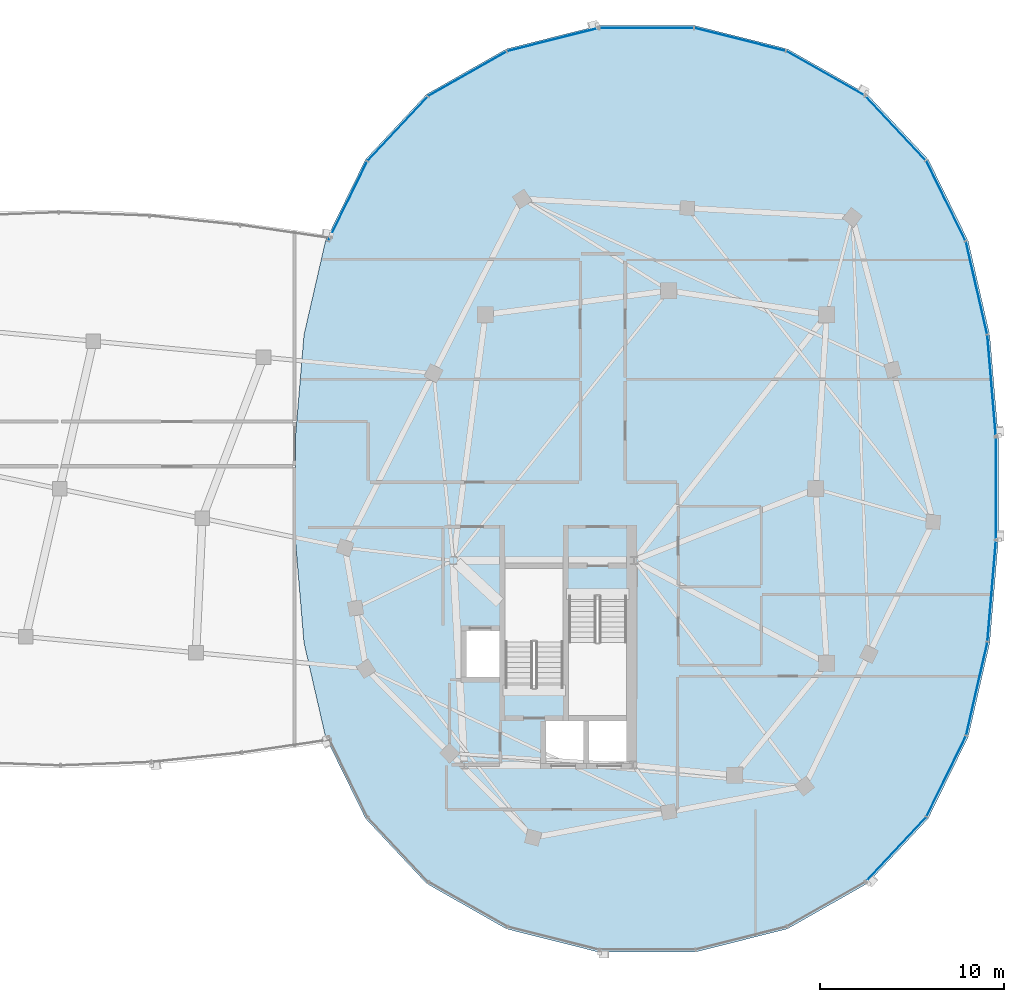
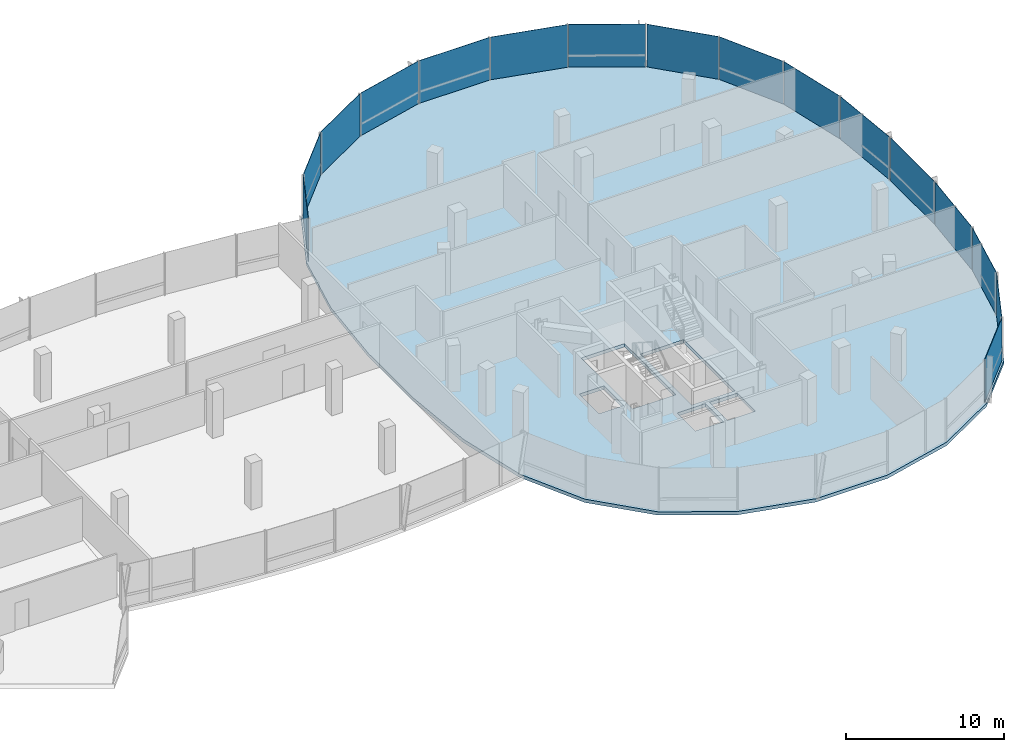
# One storey, part 13 of 25: 16 plates, 1 slab, 3 elements without a shape of their own.
"""IFC4 building model written with IfcOpenShell, lengths in metres."""

from ifc_helpers import new_model, si_unit, direction, frame, origin, origin_2d, place, context, subcontext, project, spatial, polyline, rectangle, outline, extrude, material, layer, layer_set, type_object, element, aggregate, save


model = new_model("IFC4")

# Units and contexts
model_context = context("Model", 3, precision=1e-05, world=origin(), true_north=direction((0.0, 1.0)))
body_context = subcontext(model_context, "Body", "Model", "MODEL_VIEW")
ifc_project = project(units=[si_unit("LENGTHUNIT", "METRE"), si_unit("AREAUNIT", "SQUARE_METRE"), si_unit("VOLUMEUNIT", "CUBIC_METRE"), si_unit("PLANEANGLEUNIT", "RADIAN"), si_unit("MASSUNIT", "GRAM", prefix="KILO"), si_unit("THERMODYNAMICTEMPERATUREUNIT", "KELVIN"), si_unit("POWERUNIT", "WATT")], contexts=[model_context])

# Site, building, storey
site_placement = place(None, origin())
site = spatial("IfcSite", under=ifc_project, at=site_placement, CompositionType="ELEMENT")
building_placement = place(site_placement, origin())
building = spatial("IfcBuilding", under=site, at=building_placement, Name="Cundina Bronze Exchange", CompositionType="ELEMENT")
storey_placement = place(building_placement, frame((0.0, 0.0, 250.39990234375)))
storey = spatial("IfcBuildingStorey", under=building, at=storey_placement, Name="L66", CompositionType="ELEMENT", Elevation=250.39990234375)

# Curtain wall, plates
ifc_material_1 = material(Name="Anodised Bronze Aluminium 6063-T6", Category="aluminium")
curtain_wall_type = type_object("IfcCurtainWallType", Name="CWS-SKG-BRG", PredefinedType="NOTDEFINED", material=ifc_material_1)
curtain_wall_1_placement = place(storey_placement, origin())
curtain_wall_1 = element("IfcCurtainWall", 1, at=curtain_wall_1_placement, inside=storey, type_object=curtain_wall_type, Name="L66 CW-06 Curtain Wall Run CWR-L66-E1", PredefinedType="NOTDEFINED")
ifc_material_2 = material(Name="Heat-Strengthened Solar-Control Bronze Safety Glass 28mm", Category="glass")
ifc_layer_1 = layer(ifc_material_2, 0.028076171875, Name="Heat-Strengthened Solar-Control Bronze Safety Glass 28mm", Category="glass")
ifc_layer_set_1 = layer_set([ifc_layer_1], Name="Heat-Strengthened Solar-Control Bronze Safety Glass 28mm")
plate_type_1 = type_object("IfcPlateType", Name="PLT-GLZ-VIS28", PredefinedType="CURTAIN_PANEL", material=ifc_layer_set_1)
plate_1_placement = place(storey_placement, frame((50.78662109375, 5.605712890625, 0.02001953125), z_axis=(0.0, 0.0, 1.0), x_axis=(-0.083747411454, 0.996487015006, 0.0)))
plate_1 = element("IfcPlate", 2, at=plate_1_placement, type_object=plate_type_1, Name="CW-06 Glazed Panel 1", PredefinedType="CURTAIN_PANEL", context=body_context, shape_type="SweptSolid", body=[
    extrude(rectangle(XDim=5.474609375, YDim=0.028076171875, at=origin_2d()), origin(), (0.0, 0.0, 1.0), 3.300048828125),
])
plate_2_placement = place(storey_placement, frame((49.96923828125, 10.922607421875, 0.02001953125), z_axis=(0.0, 0.0, 1.0), x_axis=(-0.223284141459, 0.974753400698, 0.0)))
plate_2 = element("IfcPlate", 3, at=plate_2_placement, type_object=plate_type_1, Name="CW-06 Glazed Panel 2", PredefinedType="CURTAIN_PANEL", context=body_context, shape_type="SweptSolid", body=[
    extrude(rectangle(XDim=5.167724609375, YDim=0.028076171875, at=origin_2d()), origin(), (0.0, 0.0, 1.0), 3.300048828125),
])
plate_3_placement = place(storey_placement, frame((48.30126953125, 15.68017578125, 0.02001953125), z_axis=(0.0, 0.0, 1.0), x_axis=(-0.440503330345, 0.897750976582, 0.0)))
plate_3 = element("IfcPlate", 4, at=plate_3_placement, type_object=plate_type_1, Name="CW-06 Glazed Panel 3", PredefinedType="CURTAIN_PANEL", context=body_context, shape_type="SweptSolid", body=[
    extrude(rectangle(XDim=4.863525390625, YDim=0.028076171875, at=origin_2d()), origin(), (0.0, 0.0, 1.0), 3.300048828125),
])
plate_4_placement = place(storey_placement, frame((41.76171875, 22.6279296875, 0.02001953125), z_axis=(0.0, 0.0, 1.0), x_axis=(-0.869572506985, 0.493805280547, 0.0)))
plate_4 = element("IfcPlate", 5, at=plate_4_placement, type_object=plate_type_1, Name="CW-06 Glazed Panel 5", PredefinedType="CURTAIN_PANEL", context=body_context, shape_type="SweptSolid", body=[
    extrude(rectangle(XDim=4.907958984375, YDim=0.028076171875, at=origin_2d()), origin(), (0.0, 0.0, 1.0), 3.300048828125),
])
plate_5_placement = place(storey_placement, frame((37.109375, 24.4814453125, 0.02001953125), z_axis=(0.0, 0.0, 1.0), x_axis=(-0.969731542251, 0.244173577528, 0.0)))
plate_5 = element("IfcPlate", 6, at=plate_5_placement, type_object=plate_type_1, Name="CW-06 Glazed Panel 6", PredefinedType="CURTAIN_PANEL", context=body_context, shape_type="SweptSolid", body=[
    extrude(rectangle(XDim=5.0908203125, YDim=0.028076171875, at=origin_2d()), origin(), (0.0, 0.0, 1.0), 3.300048828125),
])
plate_6_placement = place(storey_placement, frame((32.0, 25.110107421875, 0.02001953125), z_axis=(0.0, 0.0, 1.0), x_axis=(-1.0, 0.0, 0.0)))
plate_6 = element("IfcPlate", 7, at=plate_6_placement, type_object=plate_type_1, Name="CW-06 Glazed Panel 7", PredefinedType="CURTAIN_PANEL", context=body_context, shape_type="SweptSolid", body=[
    extrude(rectangle(XDim=5.16796875, YDim=0.028076171875, at=origin_2d()), origin(), (0.0, 0.0, 1.0), 3.300048828125),
])

curtain_wall_2_placement = place(storey_placement, origin())
curtain_wall_2 = element("IfcCurtainWall", 8, at=curtain_wall_2_placement, inside=storey, type_object=curtain_wall_type, Name="L66 CW-06 Curtain Wall Run CWR-L66-E2", PredefinedType="NOTDEFINED")
plate_7_placement = place(storey_placement, frame((26.890625, 24.4814453125, 0.02001953125), z_axis=(0.0, 0.0, 1.0), x_axis=(-0.969731542251, -0.244173577528, 0.0)))
plate_7 = element("IfcPlate", 9, at=plate_7_placement, type_object=plate_type_1, Name="CW-06 Glazed Panel 1", PredefinedType="CURTAIN_PANEL", context=body_context, shape_type="SweptSolid", body=[
    extrude(rectangle(XDim=5.0908203125, YDim=0.028076171875, at=origin_2d()), origin(), (0.0, 0.0, 1.0), 3.300048828125),
])
plate_8_placement = place(storey_placement, frame((22.23828125, 22.6279296875, 0.02001953125), z_axis=(0.0, 0.0, 1.0), x_axis=(-0.869572506985, -0.493805280547, 0.0)))
plate_8 = element("IfcPlate", 10, at=plate_8_placement, type_object=plate_type_1, Name="CW-06 Glazed Panel 2", PredefinedType="CURTAIN_PANEL", context=body_context, shape_type="SweptSolid", body=[
    extrude(rectangle(XDim=4.907958984375, YDim=0.028076171875, at=origin_2d()), origin(), (0.0, 0.0, 1.0), 3.300048828125),
])
plate_9_placement = place(storey_placement, frame((15.69873046875, 15.68017578125, 0.02001953125), z_axis=(0.0, 0.0, 1.0), x_axis=(-0.440503330345, -0.897750976582, 0.0)))
plate_9 = element("IfcPlate", 11, at=plate_9_placement, type_object=plate_type_1, Name="CW-06 Glazed Panel 4", PredefinedType="CURTAIN_PANEL", context=body_context, shape_type="SweptSolid", body=[
    extrude(rectangle(XDim=4.863525390625, YDim=0.028076171875, at=origin_2d()), origin(), (0.0, 0.0, 1.0), 3.300048828125),
])

curtain_wall_3_placement = place(storey_placement, origin())
curtain_wall_3 = element("IfcCurtainWall", 12, at=curtain_wall_3_placement, inside=storey, type_object=curtain_wall_type, Name="L66 CW-06 Curtain Wall Run CWR-L66-E4", PredefinedType="NOTDEFINED")
plate_10_placement = place(storey_placement, frame((48.30126953125, -15.68017578125, 0.02001953125), z_axis=(0.0, 0.0, 1.0), x_axis=(0.440503330345, 0.897750976582, 0.0)))
plate_10 = element("IfcPlate", 13, at=plate_10_placement, type_object=plate_type_1, Name="CW-06 Glazed Panel 2", PredefinedType="CURTAIN_PANEL", context=body_context, shape_type="SweptSolid", body=[
    extrude(rectangle(XDim=4.863525390625, YDim=0.028076171875, at=origin_2d()), origin(), (0.0, 0.0, 1.0), 3.300048828125),
])
plate_11_placement = place(storey_placement, frame((49.96923828125, -10.922607421875, 0.02001953125), z_axis=(0.0, 0.0, 1.0), x_axis=(0.223284141459, 0.974753400698, 0.0)))
plate_11 = element("IfcPlate", 14, at=plate_11_placement, type_object=plate_type_1, Name="CW-06 Glazed Panel 3", PredefinedType="CURTAIN_PANEL", context=body_context, shape_type="SweptSolid", body=[
    extrude(rectangle(XDim=5.167724609375, YDim=0.028076171875, at=origin_2d()), origin(), (0.0, 0.0, 1.0), 3.300048828125),
])
plate_12_placement = place(storey_placement, frame((50.78662109375, -5.605712890625, 0.02001953125), z_axis=(0.0, 0.0, 1.0), x_axis=(0.083747411454, 0.996487015006, 0.0)))
plate_12 = element("IfcPlate", 15, at=plate_12_placement, type_object=plate_type_1, Name="CW-06 Glazed Panel 4", PredefinedType="CURTAIN_PANEL", context=body_context, shape_type="SweptSolid", body=[
    extrude(rectangle(XDim=5.474609375, YDim=0.028076171875, at=origin_2d()), origin(), (0.0, 0.0, 1.0), 3.300048828125),
])
plate_13_placement = place(storey_placement, frame((51.01904296875, 0.0, 0.02001953125), z_axis=(0.0, 0.0, 1.0), x_axis=(0.0, 1.0, 0.0)))
plate_13 = element("IfcPlate", 16, at=plate_13_placement, type_object=plate_type_1, Name="CW-06 Glazed Panel 5", PredefinedType="CURTAIN_PANEL", context=body_context, shape_type="SweptSolid", body=[
    extrude(rectangle(XDim=5.597900390625, YDim=0.028076171875, at=origin_2d()), origin(), (0.0, 0.0, 1.0), 3.300048828125),
])

# Plate
ifc_material_3 = material(Name="Dark Bronze Spandrel Glass Panel 32mm", Category="glass")
ifc_layer_2 = layer(ifc_material_3, 0.031982421875, Name="Dark Bronze Spandrel Glass Panel 32mm", Category="glass")
ifc_layer_set_2 = layer_set([ifc_layer_2], Name="Dark Bronze Spandrel Glass Panel 32mm")
plate_type_2 = type_object("IfcPlateType", Name="PLT-SPN-BRZ32", PredefinedType="CURTAIN_PANEL", material=ifc_layer_set_2)
plate_14_placement = place(storey_placement, frame((45.568115234375, 19.64501953125, 0.02001953125), z_axis=(0.0, 0.0, 1.0), x_axis=(-0.684343512797, 0.72915976061, 0.0)))
plate_14 = element("IfcPlate", 17, at=plate_14_placement, type_object=plate_type_2, Name="CW-06 Glazed Panel 4", PredefinedType="CURTAIN_PANEL", context=body_context, shape_type="SweptSolid", body=[
    extrude(rectangle(XDim=4.773193359375, YDim=0.031982421875, at=origin_2d()), origin(), (0.0, 0.0, 1.0), 3.300048828125),
])

aggregate(curtain_wall_1, [plate_1, plate_2, plate_3, plate_14, plate_4, plate_5, plate_6])

plate_15_placement = place(storey_placement, frame((18.431884765625, 19.64501953125, 0.02001953125), z_axis=(0.0, 0.0, 1.0), x_axis=(-0.684343512797, -0.72915976061, 0.0)))
plate_15 = element("IfcPlate", 18, at=plate_15_placement, type_object=plate_type_2, Name="CW-06 Glazed Panel 3", PredefinedType="CURTAIN_PANEL", context=body_context, shape_type="SweptSolid", body=[
    extrude(rectangle(XDim=4.773193359375, YDim=0.031982421875, at=origin_2d()), origin(), (0.0, 0.0, 1.0), 3.300048828125),
])

aggregate(curtain_wall_2, [plate_7, plate_8, plate_15, plate_9])

plate_16_placement = place(storey_placement, frame((45.568115234375, -19.64501953125, 0.02001953125), z_axis=(0.0, 0.0, 1.0), x_axis=(0.684343512797, 0.72915976061, 0.0)))
plate_16 = element("IfcPlate", 19, at=plate_16_placement, type_object=plate_type_2, Name="CW-06 Glazed Panel 1", PredefinedType="CURTAIN_PANEL", context=body_context, shape_type="SweptSolid", body=[
    extrude(rectangle(XDim=4.773193359375, YDim=0.031982421875, at=origin_2d()), origin(), (0.0, 0.0, 1.0), 3.300048828125),
])

aggregate(curtain_wall_3, [plate_16, plate_10, plate_11, plate_12, plate_13])

# Slab
ifc_material_4 = material(Name="Concrete C50/60", Category="concrete")
ifc_layer_3 = layer(ifc_material_4, 0.260009765625, Name="Concrete C50/60", Category="concrete")
ifc_layer_set_3 = layer_set([ifc_layer_3], Name="Concrete C50/60")
slab_type = type_object("IfcSlabType", Name="SLB-OFF-260", PredefinedType="FLOOR", material=ifc_layer_set_3)
slab_placement = place(storey_placement, frame((0.0, 0.0, -0.260009765625)))
element("IfcSlab", 20, at=slab_placement, inside=storey, type_object=slab_type, Name="L66 Leg E Structural Floor Slab", PredefinedType="FLOOR", context=body_context, shape_type="SweptSolid", body=[
    extrude(outline(polyline([(51.14892578125, 2.843994140625), (50.68310546875, 8.388916015625), (49.509033203125, 13.513916015625), (47.326904296875, 17.9609375), (43.9990234375, 21.507080078125), (39.653076171875, 23.97509765625), (34.62890625, 25.239990234375), (29.37109375, 25.239990234375), (24.346923828125, 23.97509765625), (20.0009765625, 21.507080078125), (16.673095703125, 17.9609375), (14.490966796875, 13.513916015625), (13.31689453125, 8.388916015625), (12.85107421875, 2.843994140625), (12.85107421875, -2.843994140625), (13.31689453125, -8.388916015625), (14.490966796875, -13.513916015625), (16.673095703125, -17.9609375), (20.0009765625, -21.507080078125), (24.346923828125, -23.97509765625), (29.37109375, -25.239990234375), (34.62890625, -25.239990234375), (39.653076171875, -23.97509765625), (43.9990234375, -21.507080078125), (47.326904296875, -17.9609375), (49.509033203125, -13.513916015625), (50.68310546875, -8.388916015625), (51.14892578125, -2.843994140625), (51.14892578125, 2.843994140625)]), holes=[polyline([(27.739990234375, -5.85009765625), (27.739990234375, -12.35009765625), (30.89990234375, -12.35009765625), (30.89990234375, -5.85009765625), (27.739990234375, -5.85009765625)]), polyline([(27.43994140625, -10.85009765625), (27.43994140625, -4.35009765625), (24.280029296875, -4.35009765625), (24.280029296875, -10.85009765625), (27.43994140625, -10.85009765625)]), polyline([(22.179931640625, -7.75), (23.97998046875, -7.75), (23.97998046875, -10.25), (22.179931640625, -10.25), (22.179931640625, -7.75)]), polyline([(28.85009765625, -12.64990234375), (30.89990234375, -12.64990234375), (30.89990234375, -14.949951171875), (28.85009765625, -14.949951171875), (28.85009765625, -12.64990234375)]), polyline([(26.5, -12.64990234375), (28.550048828125, -12.64990234375), (28.550048828125, -14.949951171875), (26.5, -14.949951171875), (26.5, -12.64990234375)])]), origin(), (0.0, 0.0, 1.0), 0.260009765625),
])

save(model, "model.ifc")
